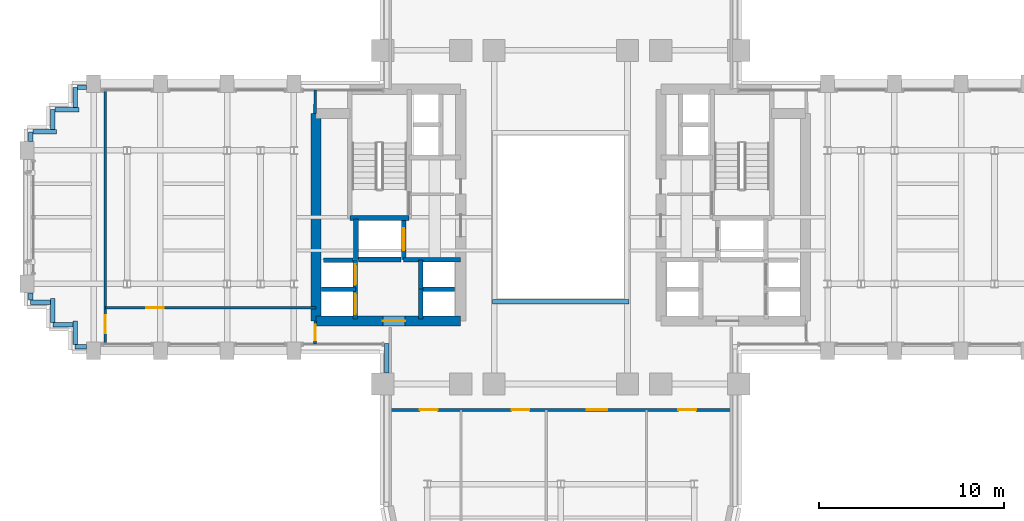
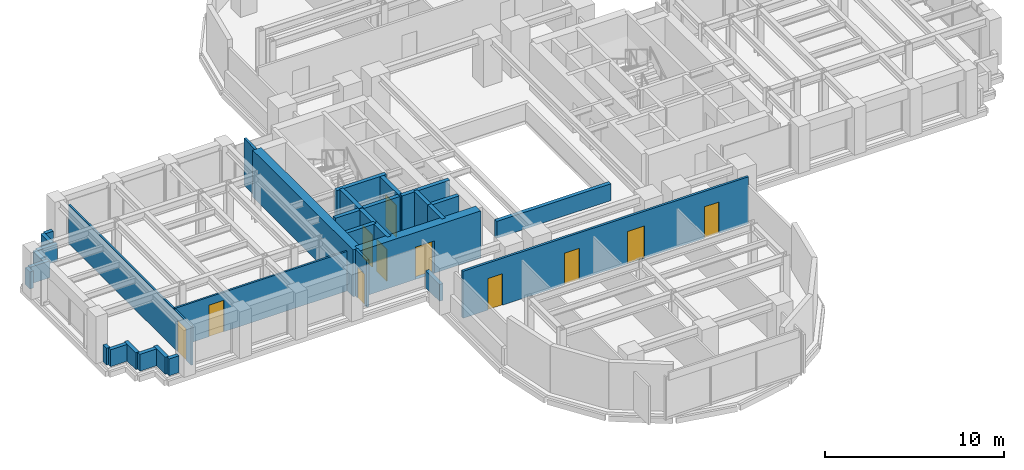
# One storey, part 10 of 16: 33 walls, 11 doors, 11 openings.
"""IFC4 building model written with IfcOpenShell, lengths in metres."""

from ifc_helpers import new_model, si_unit, direction, frame, frame_2d, origin, place, context, subcontext, project, spatial, rectangle, extrude, source, transform, mapped, material, layer, layer_set, type_object, element, fill, save


model = new_model("IFC4")

# Units and contexts
model_context = context("Model", 3, precision=1e-05, world=origin(), true_north=direction((0.0, 1.0)))
body_context = subcontext(model_context, "Body", "Model", "MODEL_VIEW")
ifc_project = project(units=[si_unit("LENGTHUNIT", "METRE"), si_unit("AREAUNIT", "SQUARE_METRE"), si_unit("VOLUMEUNIT", "CUBIC_METRE"), si_unit("PLANEANGLEUNIT", "RADIAN"), si_unit("MASSUNIT", "GRAM", prefix="KILO")], contexts=[model_context])

# Site, building, storey
site_placement = place(None, origin())
site = spatial("IfcSite", under=ifc_project, at=site_placement, CompositionType="ELEMENT")
building_placement = place(site_placement, origin())
building = spatial("IfcBuilding", under=site, at=building_placement, Name="Keilestroom Media Tower", CompositionType="ELEMENT")
storey_placement = place(building_placement, frame((0.0, 0.0, 78.199951171875)))
storey = spatial("IfcBuildingStorey", under=building, at=storey_placement, Name="L20", CompositionType="ELEMENT", Elevation=78.199951171875)

# Wall, opening, door
ifc_material_1 = material(Name="Gypsum Plasterboard & Steel Stud", Category="steel")
ifc_layer_1 = layer(ifc_material_1, 0.1201171875)
ifc_layer_set_1 = layer_set([ifc_layer_1], Name="Gypsum Plasterboard & Steel Stud")
wall_type_1 = type_object("IfcWallType", Name="Interior-Partition-Wall-120", PredefinedType="PARTITIONING", material=ifc_layer_set_1)
wall_1_placement = place(storey_placement, frame((-24.570068359375, -4.8798828125, 0.0), z_axis=(0.0, 0.0, 1.0), x_axis=(1.0, 0.0, 0.0)))
wall_1 = element("IfcWall", 1, at=wall_1_placement, inside=storey, type_object=wall_type_1, Name="L20 Interior Wall WP-L20-WA-CN", PredefinedType="PARTITIONING", context=body_context, shape_type="SweptSolid", body=[
    extrude(rectangle(XDim=11.3701171875, YDim=0.1201171875, at=frame_2d((5.68505859375, 0.0))), origin(), (0.0, 0.0, 1.0), 2.699951171875),
])
opening_1_placement = place(wall_1_placement, frame((2.199951171875, 0.0, 0.0)))
opening_1 = element("IfcOpeningElement", 2, at=opening_1_placement, cuts=wall_1, Name="Opening DI-03", PredefinedType="OPENING", context=body_context, shape_type="SweptSolid", body=[
    extrude(rectangle(XDim=0.949951171875, YDim=2.14990234375, at=frame_2d((0.47509765625, 1.074951171875))), frame((0.0, 0.070068359375, 0.0), z_axis=(0.0, -1.0, 0.0), x_axis=(1.0, 0.0, 0.0)), (0.0, 0.0, 1.0), 0.14013671875),
])
ifc_material_2 = material(Name="Lacquered European Oak Leaf", Category="wood")
door_type_1 = type_object("IfcDoorType", Name="Interior-Room-And-Suite-Door-DI-03", OperationType="NOTDEFINED", PredefinedType="DOOR", material=ifc_material_2)
shared_shape_1 = source(origin(), body_context, "Body", "SweptSolid", [
    extrude(rectangle(XDim=0.949951171875, YDim=2.14990234375, at=frame_2d((0.47509765625, 1.074951171875))), frame((0.0, 0.02490234375, 0.0), z_axis=(0.0, -1.0, 0.0), x_axis=(1.0, 0.0, 0.0)), (0.0, 0.0, 1.0), 0.050048828125),
])
door_1_placement = place(opening_1_placement, origin())
door_1 = element("IfcDoor", 3, at=door_1_placement, inside=storey, type_object=door_type_1, Name="L20 Interior Door DI-L20-DWA-RN", OperationType="SINGLE_SWING_RIGHT", OverallHeight=2.14990234375, OverallWidth=0.949951171875, PredefinedType="DOOR", context=body_context, shape_type="MappedRepresentation", body=[
    mapped(shared_shape_1, transform((0.0, 0.0, 0.0), x_axis=(1.0, 0.0, 0.0), y_axis=(0.0, 1.0, 0.0), z_axis=(0.0, 0.0, 1.0), scale=1.0)),
])
fill(opening_1, door_1)

wall_2_placement = place(storey_placement, frame((-24.570068359375, -6.85009765625, 0.0), z_axis=(0.0, 0.0, 1.0), x_axis=(0.0, 1.0, 0.0)))
wall_2 = element("IfcWall", 4, at=wall_2_placement, inside=storey, type_object=wall_type_1, Name="L20 Interior Wall WP-L20-WA-CE", PredefinedType="PARTITIONING", context=body_context, shape_type="SweptSolid", body=[
    extrude(rectangle(XDim=13.7001953125, YDim=0.1201171875, at=frame_2d((6.85009765625, 0.0))), origin(), (0.0, 0.0, 1.0), 2.650146484375),
])
opening_2_placement = place(wall_2_placement, frame((0.60009765625, 0.0, 0.0)))
opening_2 = element("IfcOpeningElement", 5, at=opening_2_placement, cuts=wall_2, Name="Opening DI-03", PredefinedType="OPENING", context=body_context, shape_type="SweptSolid", body=[
    extrude(rectangle(XDim=0.949951171875, YDim=2.14990234375, at=frame_2d((0.47509765625, 1.074951171875))), frame((0.0, 0.070068359375, 0.0), z_axis=(0.0, -1.0, 0.0), x_axis=(1.0, 0.0, 0.0)), (0.0, 0.0, 1.0), 0.14013671875),
])
door_2_placement = place(opening_2_placement, origin())
door_2 = element("IfcDoor", 6, at=door_2_placement, inside=storey, type_object=door_type_1, Name="L20 Interior Door DI-L20-DWA-END", OperationType="SINGLE_SWING_LEFT", OverallHeight=2.14990234375, OverallWidth=0.949951171875, PredefinedType="DOOR", context=body_context, shape_type="MappedRepresentation", body=[
    mapped(shared_shape_1, transform((0.0, 0.0, 0.0), x_axis=(1.0, 0.0, 0.0), y_axis=(0.0, 1.0, 0.0), z_axis=(0.0, 0.0, 1.0), scale=1.0)),
])
fill(opening_2, door_2)

# Wall, openings, doors
ifc_layer_2 = layer(ifc_material_1, 0.14990234375)
ifc_layer_set_2 = layer_set([ifc_layer_2], Name="Gypsum Plasterboard & Steel Stud")
wall_type_2 = type_object("IfcWallType", Name="Interior-Partition-Wall-150", PredefinedType="PARTITIONING", material=ifc_layer_set_2)
wall_3_placement = place(storey_placement, frame((-9.199951171875, -10.39990234375, 0.0), z_axis=(0.0, 0.0, 1.0), x_axis=(1.0, 0.0, 0.0)))
wall_3 = element("IfcWall", 7, at=wall_3_placement, inside=storey, type_object=wall_type_2, Name="L20 Interior Wall WP-L20-SL-BASE", PredefinedType="PARTITIONING", context=body_context, shape_type="SweptSolid", body=[
    extrude(rectangle(XDim=18.39990234375, YDim=0.14990234375, at=frame_2d((9.199951171875, 0.0))), origin(), (0.0, 0.0, 1.0), 3.199951171875),
])
opening_3_placement = place(wall_3_placement, frame((1.60009765625, 0.0, 0.0)))
opening_3 = element("IfcOpeningElement", 8, at=opening_3_placement, cuts=wall_3, Name="Opening DI-03", PredefinedType="OPENING", context=body_context, shape_type="SweptSolid", body=[
    extrude(rectangle(XDim=0.949951171875, YDim=2.14990234375, at=frame_2d((0.47509765625, 1.074951171875))), frame((0.0, 0.0849609375, 0.0), z_axis=(0.0, -1.0, 0.0), x_axis=(1.0, 0.0, 0.0)), (0.0, 0.0, 1.0), 0.169921875),
])
opening_4_placement = place(wall_3_placement, frame((6.550048828125, 0.0, 0.0)))
opening_4 = element("IfcOpeningElement", 9, at=opening_4_placement, cuts=wall_3, Name="Opening DI-03", PredefinedType="OPENING", context=body_context, shape_type="SweptSolid", body=[
    extrude(rectangle(XDim=0.949951171875, YDim=2.14990234375, at=frame_2d((0.47509765625, 1.074951171875))), frame((0.0, 0.0849609375, 0.0), z_axis=(0.0, -1.0, 0.0), x_axis=(1.0, 0.0, 0.0)), (0.0, 0.0, 1.0), 0.169921875),
])
opening_5_placement = place(wall_3_placement, frame((10.60009765625, 0.0, 0.0)))
opening_5 = element("IfcOpeningElement", 10, at=opening_5_placement, cuts=wall_3, Name="Opening DI-04", PredefinedType="OPENING", context=body_context, shape_type="SweptSolid", body=[
    extrude(rectangle(XDim=1.10009765625, YDim=2.199951171875, at=frame_2d((0.550048828125, 1.10009765625))), frame((0.0, 0.0849609375, 0.0), z_axis=(0.0, -1.0, 0.0), x_axis=(1.0, 0.0, 0.0)), (0.0, 0.0, 1.0), 0.169921875),
])
opening_6_placement = place(wall_3_placement, frame((15.550048828125, 0.0, 0.0)))
opening_6 = element("IfcOpeningElement", 11, at=opening_6_placement, cuts=wall_3, Name="Opening DI-03", PredefinedType="OPENING", context=body_context, shape_type="SweptSolid", body=[
    extrude(rectangle(XDim=0.949951171875, YDim=2.14990234375, at=frame_2d((0.47509765625, 1.074951171875))), frame((0.0, 0.0849609375, 0.0), z_axis=(0.0, -1.0, 0.0), x_axis=(1.0, 0.0, 0.0)), (0.0, 0.0, 1.0), 0.169921875),
])
door_3_placement = place(opening_3_placement, origin())
door_3 = element("IfcDoor", 12, at=door_3_placement, inside=storey, type_object=door_type_1, Name="L20 Interior Door DI-L20-DSL-Q1", OperationType="SINGLE_SWING_RIGHT", OverallHeight=2.14990234375, OverallWidth=0.949951171875, PredefinedType="DOOR", context=body_context, shape_type="MappedRepresentation", body=[
    mapped(shared_shape_1, transform((0.0, 0.0, 0.0), x_axis=(1.0, 0.0, 0.0), y_axis=(0.0, 1.0, 0.0), z_axis=(0.0, 0.0, 1.0), scale=1.0)),
])
fill(opening_3, door_3)
door_4_placement = place(opening_4_placement, origin())
door_4 = element("IfcDoor", 13, at=door_4_placement, inside=storey, type_object=door_type_1, Name="L20 Interior Door DI-L20-DSL-Q2", OperationType="SINGLE_SWING_LEFT", OverallHeight=2.14990234375, OverallWidth=0.949951171875, PredefinedType="DOOR", context=body_context, shape_type="MappedRepresentation", body=[
    mapped(shared_shape_1, transform((0.0, 0.0, 0.0), x_axis=(1.0, 0.0, 0.0), y_axis=(0.0, 1.0, 0.0), z_axis=(0.0, 0.0, 1.0), scale=1.0)),
])
fill(opening_4, door_4)
door_5_placement = place(opening_6_placement, origin())
door_5 = element("IfcDoor", 14, at=door_5_placement, inside=storey, type_object=door_type_1, Name="L20 Interior Door DI-L20-DSL-Q4", OperationType="SINGLE_SWING_LEFT", OverallHeight=2.14990234375, OverallWidth=0.949951171875, PredefinedType="DOOR", context=body_context, shape_type="MappedRepresentation", body=[
    mapped(shared_shape_1, transform((0.0, 0.0, 0.0), x_axis=(1.0, 0.0, 0.0), y_axis=(0.0, 1.0, 0.0), z_axis=(0.0, 0.0, 1.0), scale=1.0)),
])
fill(opening_6, door_5)
ifc_material_3 = material(Name="Acoustic Glazed Aluminium Leaf", Category="aluminium")
door_type_2 = type_object("IfcDoorType", Name="Interior-Room-And-Suite-Door-DI-04", OperationType="NOTDEFINED", PredefinedType="DOOR", material=ifc_material_3)
shared_shape_2 = source(origin(), body_context, "Body", "SweptSolid", [
    extrude(rectangle(XDim=1.10009765625, YDim=2.199951171875, at=frame_2d((0.550048828125, 1.10009765625))), frame((0.0, 0.02490234375, 0.0), z_axis=(0.0, -1.0, 0.0), x_axis=(1.0, 0.0, 0.0)), (0.0, 0.0, 1.0), 0.050048828125),
])
door_6_placement = place(opening_5_placement, origin())
door_6 = element("IfcDoor", 15, at=door_6_placement, inside=storey, type_object=door_type_2, Name="L20 Interior Door DI-L20-DSL-Q3", OperationType="SINGLE_SWING_RIGHT", OverallHeight=2.199951171875, OverallWidth=1.10009765625, PredefinedType="DOOR", context=body_context, shape_type="MappedRepresentation", body=[
    mapped(shared_shape_2, transform((0.0, 0.0, 0.0), x_axis=(1.0, 0.0, 0.0), y_axis=(0.0, 1.0, 0.0), z_axis=(0.0, 0.0, 1.0), scale=1.0)),
])
fill(opening_5, door_6)

# Wall
wall_4_placement = place(storey_placement, frame((-13.260009765625, 5.60009765625, 0.0), z_axis=(0.0, 0.0, 1.0), x_axis=(0.016013571389, 0.999871774545, 0.0)))
element("IfcWall", 16, at=wall_4_placement, inside=storey, type_object=wall_type_2, Name="L20 Interior Wall WP-L20-WA-ENTN", PredefinedType="PARTITIONING", context=body_context, shape_type="SweptSolid", body=[
    extrude(rectangle(XDim=1.250244140625, YDim=0.14990234375, at=frame_2d((0.625, 0.0))), origin(), (0.0, 0.0, 1.0), 3.199951171875),
])

# Wall, opening, door
wall_5_placement = place(storey_placement, frame((-13.260009765625, -6.85009765625, 0.0), z_axis=(0.0, 0.0, 1.0), x_axis=(0.016013571389, 0.999871774545, 0.0)))
wall_5 = element("IfcWall", 17, at=wall_5_placement, inside=storey, type_object=wall_type_2, Name="L20 Interior Wall WP-L20-WA-ENTS", PredefinedType="PARTITIONING", context=body_context, shape_type="SweptSolid", body=[
    extrude(rectangle(XDim=1.250244140625, YDim=0.14990234375, at=frame_2d((0.625, 0.0))), origin(), (0.0, 0.0, 1.0), 3.199951171875),
])
opening_7_placement = place(wall_5_placement, frame((0.199951171875, 0.0, 0.0)))
opening_7 = element("IfcOpeningElement", 18, at=opening_7_placement, cuts=wall_5, Name="Opening DI-05", PredefinedType="OPENING", context=body_context, shape_type="SweptSolid", body=[
    extrude(rectangle(XDim=0.85009765625, YDim=2.10009765625, at=frame_2d((0.425048828125, 1.050048828125))), frame((0.0, 0.0849609375, 0.0), z_axis=(0.0, -1.0, 0.0), x_axis=(1.0, 0.0, 0.0)), (0.0, 0.0, 1.0), 0.169921875),
])
ifc_material_4 = material(Name="Moisture-Resistant Oak Leaf", Category="wood")
door_type_3 = type_object("IfcDoorType", Name="Interior-En-Suite-And-Cupboard-Door-DI-05", OperationType="NOTDEFINED", PredefinedType="DOOR", material=ifc_material_4)
shared_shape_3 = source(origin(), body_context, "Body", "SweptSolid", [
    extrude(rectangle(XDim=0.85009765625, YDim=2.10009765625, at=frame_2d((0.425048828125, 1.050048828125))), frame((0.0, 0.02490234375, 0.0), z_axis=(0.0, -1.0, 0.0), x_axis=(1.0, 0.0, 0.0)), (0.0, 0.0, 1.0), 0.050048828125),
])
door_7_placement = place(opening_7_placement, origin())
door_7 = element("IfcDoor", 19, at=door_7_placement, inside=storey, type_object=door_type_3, Name="L20 Interior Door DI-L20-DWA-ENTS", OperationType="SINGLE_SWING_RIGHT", OverallHeight=2.10009765625, OverallWidth=0.85009765625, PredefinedType="DOOR", context=body_context, shape_type="MappedRepresentation", body=[
    mapped(shared_shape_3, transform((0.0, 0.0, 0.0), x_axis=(1.0, 0.0, 0.0), y_axis=(0.0, 1.0, 0.0), z_axis=(0.0, 0.0, 1.0), scale=1.0)),
])
fill(opening_7, door_7)

# Wall
ifc_material_5 = material(Name="Concrete C70/85", Category="concrete")
ifc_layer_3 = layer(ifc_material_5, 0.550048828125)
ifc_layer_set_3 = layer_set([ifc_layer_3], Name="Concrete C70/85")
wall_type_3 = type_object("IfcWallType", Name="Reinforced-Concrete-Core-Shear-Wall-550", PredefinedType="SHEAR", material=ifc_layer_set_3)
wall_6_placement = place(storey_placement, frame((-13.199951171875, -5.60009765625, 0.0), z_axis=(0.0, 0.0, 1.0), x_axis=(0.0, 1.0, 0.0)))
element("IfcWall", 20, at=wall_6_placement, inside=storey, type_object=wall_type_3, Name="L20 Core Shear Wall WL-L20-CORE-W-OUT", PredefinedType="SHEAR", context=body_context, shape_type="SweptSolid", body=[
    extrude(rectangle(XDim=11.2001953125, YDim=0.550048828125, at=frame_2d((5.60009765625, 0.0))), origin(), (0.0, 0.0, 1.0), 3.199951171875),
])

# Wall, opening, door
wall_7_placement = place(storey_placement, frame((-13.199951171875, -5.60009765625, 0.0), z_axis=(0.0, 0.0, 1.0), x_axis=(1.0, 0.0, 0.0)))
wall_7 = element("IfcWall", 21, at=wall_7_placement, inside=storey, type_object=wall_type_3, Name="L20 Core Shear Wall WL-L20-CORE-W-S", PredefinedType="SHEAR", context=body_context, shape_type="SweptSolid", body=[
    extrude(rectangle(XDim=7.800048828125, YDim=0.550048828125, at=frame_2d((3.89990234375, 0.0))), origin(), (0.0, 0.0, 1.0), 3.199951171875),
])
opening_8_placement = place(wall_7_placement, frame((3.60009765625, 0.0, 0.0)))
opening_8 = element("IfcOpeningElement", 22, at=opening_8_placement, cuts=wall_7, Name="Opening DI-02", PredefinedType="OPENING", context=body_context, shape_type="SweptSolid", body=[
    extrude(rectangle(XDim=1.199951171875, YDim=2.199951171875, at=frame_2d((0.60009765625, 1.10009765625))), frame((0.0, 0.28515625, 0.0), z_axis=(0.0, -1.0, 0.0), x_axis=(1.0, 0.0, 0.0)), (0.0, 0.0, 1.0), 0.570068359375),
])
ifc_material_6 = material(Name="Powder-Coated Steel Fire Leaf", Category="steel")
door_type_4 = type_object("IfcDoorType", Name="Interior-Compartment-Fire-Door-DI-02", OperationType="NOTDEFINED", PredefinedType="DOOR", material=ifc_material_6)
shared_shape_4 = source(origin(), body_context, "Body", "SweptSolid", [
    extrude(rectangle(XDim=1.199951171875, YDim=2.199951171875, at=frame_2d((0.60009765625, 1.10009765625))), frame((0.0, 0.02490234375, 0.0), z_axis=(0.0, -1.0, 0.0), x_axis=(1.0, 0.0, 0.0)), (0.0, 0.0, 1.0), 0.050048828125),
])
door_8_placement = place(opening_8_placement, origin())
door_8 = element("IfcDoor", 23, at=door_8_placement, inside=storey, type_object=door_type_4, Name="L20 W Passenger Lift Lobby Door", OperationType="SINGLE_SWING_LEFT", OverallHeight=2.199951171875, OverallWidth=1.199951171875, PredefinedType="DOOR", context=body_context, shape_type="MappedRepresentation", body=[
    mapped(shared_shape_4, transform((0.0, 0.0, 0.0), x_axis=(1.0, 0.0, 0.0), y_axis=(0.0, 1.0, 0.0), z_axis=(0.0, 0.0, 1.0), scale=1.0)),
])
fill(opening_8, door_8)

# Walls
ifc_material_7 = material(Name="Concrete C50/60", Category="concrete")
ifc_layer_4 = layer(ifc_material_7, 0.25)
ifc_layer_set_4 = layer_set([ifc_layer_4], Name="Concrete C50/60")
wall_type_4 = type_object("IfcWallType", Name="Reinforced-Concrete-Shaft-Wall-250", PredefinedType="SOLIDWALL", material=ifc_layer_set_4)
wall_8_placement = place(storey_placement, frame((-8.47998046875, -2.300048828125, 0.0), z_axis=(0.0, 0.0, 1.0), x_axis=(1.0, 0.0, 0.0)))
element("IfcWall", 24, at=wall_8_placement, inside=storey, type_object=wall_type_4, Name="L20 Core Shear Wall WL-L20-CORE-W-FFS", PredefinedType="SOLIDWALL", context=body_context, shape_type="SweptSolid", body=[
    extrude(rectangle(XDim=3.080078125, YDim=0.25, at=frame_2d((1.5400390625, 0.0))), origin(), (0.0, 0.0, 1.0), 3.199951171875),
])
wall_9_placement = place(storey_placement, frame((-11.381103515625, -0.041015625, 0.0), z_axis=(0.0, 0.0, 1.0), x_axis=(1.0, 0.0, 0.0)))
element("IfcWall", 25, at=wall_9_placement, inside=storey, type_object=wall_type_4, Name="L20 Core Shear Wall WL-L20-STW-W-S", PredefinedType="SOLIDWALL", context=body_context, shape_type="SweptSolid", body=[
    extrude(rectangle(XDim=3.2021484375, YDim=0.25, at=frame_2d((1.60107421875, 0.0))), origin(), (0.0, 0.0, 1.0), 3.199951171875),
])
wall_10_placement = place(storey_placement, frame((-11.050048828125, -2.280029296875, 0.0), z_axis=(0.0, 0.0, 1.0), x_axis=(0.0, 1.0, 0.0)))
element("IfcWall", 26, at=wall_10_placement, inside=storey, type_object=wall_type_4, Name="L20 Core Shear Wall WL-L20-LSH-FFL-1-W", PredefinedType="SOLIDWALL", context=body_context, shape_type="SweptSolid", body=[
    extrude(rectangle(XDim=2.179931640625, YDim=0.25, at=frame_2d((1.08984375, 0.0))), origin(), (0.0, 0.0, 1.0), 3.199951171875),
])

# Wall, opening, door
wall_11_placement = place(storey_placement, frame((-8.47998046875, -2.280029296875, 0.0), z_axis=(0.0, 0.0, 1.0), x_axis=(0.0, 1.0, 0.0)))
wall_11 = element("IfcWall", 27, at=wall_11_placement, inside=storey, type_object=wall_type_4, Name="L20 Core Shear Wall WL-L20-LSH-FFL-1-E", PredefinedType="SOLIDWALL", context=body_context, shape_type="SweptSolid", body=[
    extrude(rectangle(XDim=2.179931640625, YDim=0.25, at=frame_2d((1.08984375, 0.0))), origin(), (0.0, 0.0, 1.0), 3.199951171875),
])
opening_9_placement = place(wall_11_placement, frame((0.489990234375, 0.0, 0.0)))
opening_9 = element("IfcOpeningElement", 28, at=opening_9_placement, cuts=wall_11, Name="Opening LD-02", PredefinedType="OPENING", context=body_context, shape_type="SweptSolid", body=[
    extrude(rectangle(XDim=1.199951171875, YDim=2.199951171875, at=frame_2d((0.60009765625, 1.10009765625))), frame((0.0, 0.135009765625, 0.0), z_axis=(0.0, -1.0, 0.0), x_axis=(1.0, 0.0, 0.0)), (0.0, 0.0, 1.0), 0.27001953125),
])
ifc_material_8 = material(Name="Brushed Stainless Steel Sliding Leaf", Category="steel")
door_type_5 = type_object("IfcDoorType", Name="Lift-Landing-Sliding-Door-LD-02", OperationType="SLIDING_TO_RIGHT", PredefinedType="DOOR", material=ifc_material_8)
door_9_placement = place(opening_9_placement, origin())
door_9 = element("IfcDoor", 29, at=door_9_placement, inside=storey, type_object=door_type_5, Name="L20 Lift FFL-1 Landing Sliding Door", OperationType="SLIDING_TO_RIGHT", OverallHeight=2.199951171875, OverallWidth=1.199951171875, PredefinedType="DOOR", context=body_context, shape_type="MappedRepresentation", body=[
    mapped(shared_shape_4, transform((0.0, 0.0, 0.0), x_axis=(1.0, 0.0, 0.0), y_axis=(0.0, 1.0, 0.0), z_axis=(0.0, 0.0, 1.0), scale=1.0)),
])
fill(opening_9, door_9)

# Wall
wall_12_placement = place(storey_placement, frame((-10.9208984375, -2.280029296875, 0.0), z_axis=(0.0, 0.0, 1.0), x_axis=(1.0, 0.0, 0.0)))
element("IfcWall", 30, at=wall_12_placement, inside=storey, type_object=wall_type_4, Name="L20 Core Shear Wall WL-L20-LSH-FFL-1-S", PredefinedType="SOLIDWALL", context=body_context, shape_type="SweptSolid", body=[
    extrude(rectangle(XDim=2.31201171875, YDim=0.25, at=frame_2d((1.156005859375, 0.0))), origin(), (0.0, 0.0, 1.0), 3.199951171875),
])

# Wall, opening, door
wall_13_placement = place(storey_placement, frame((-11.080078125, -5.47998046875, 0.0), z_axis=(0.0, 0.0, 1.0), x_axis=(0.0, 1.0, 0.0)))
wall_13 = element("IfcWall", 31, at=wall_13_placement, inside=storey, type_object=wall_type_4, Name="L20 Core Shear Wall WL-L20-LSH-PL-L1-E", PredefinedType="SOLIDWALL", context=body_context, shape_type="SweptSolid", body=[
    extrude(rectangle(XDim=1.60009765625, YDim=0.25, at=frame_2d((0.800048828125, 0.0))), origin(), (0.0, 0.0, 1.0), 3.199951171875),
])
opening_10_placement = place(wall_13_placement, frame((0.25, 0.0, 0.0)))
opening_10 = element("IfcOpeningElement", 32, at=opening_10_placement, cuts=wall_13, Name="Opening LD-01", PredefinedType="OPENING", context=body_context, shape_type="SweptSolid", body=[
    extrude(rectangle(XDim=1.10009765625, YDim=2.199951171875, at=frame_2d((0.550048828125, 1.10009765625))), frame((0.0, 0.135009765625, 0.0), z_axis=(0.0, -1.0, 0.0), x_axis=(1.0, 0.0, 0.0)), (0.0, 0.0, 1.0), 0.27001953125),
])
door_type_6 = type_object("IfcDoorType", Name="Lift-Landing-Sliding-Door-LD-01", OperationType="SLIDING_TO_LEFT", PredefinedType="DOOR", material=ifc_material_8)
door_10_placement = place(opening_10_placement, origin())
door_10 = element("IfcDoor", 33, at=door_10_placement, inside=storey, type_object=door_type_6, Name="L20 Lift PL-L1 Landing Sliding Door", OperationType="SLIDING_TO_LEFT", OverallHeight=2.199951171875, OverallWidth=1.10009765625, PredefinedType="DOOR", context=body_context, shape_type="MappedRepresentation", body=[
    mapped(shared_shape_2, transform((0.0, 0.0, 0.0), x_axis=(1.0, 0.0, 0.0), y_axis=(0.0, 1.0, 0.0), z_axis=(0.0, 0.0, 1.0), scale=1.0)),
])
fill(opening_10, door_10)

# Wall
wall_14_placement = place(storey_placement, frame((-12.919921875, -3.8798828125, 0.0), z_axis=(0.0, 0.0, 1.0), x_axis=(1.0, 0.0, 0.0)))
element("IfcWall", 34, at=wall_14_placement, inside=storey, type_object=wall_type_4, Name="L20 Core Shear Wall WL-L20-LSH-PL-L1-N", PredefinedType="SOLIDWALL", context=body_context, shape_type="SweptSolid", body=[
    extrude(rectangle(XDim=1.83984375, YDim=0.25, at=frame_2d((0.919921875, 0.0))), origin(), (0.0, 0.0, 1.0), 3.199951171875),
])

# Wall, opening, door
wall_15_placement = place(storey_placement, frame((-11.080078125, -3.8798828125, 0.0), z_axis=(0.0, 0.0, 1.0), x_axis=(0.0, 1.0, 0.0)))
wall_15 = element("IfcWall", 35, at=wall_15_placement, inside=storey, type_object=wall_type_4, Name="L20 Core Shear Wall WL-L20-LSH-PL-L2-E", PredefinedType="SOLIDWALL", context=body_context, shape_type="SweptSolid", body=[
    extrude(rectangle(XDim=1.559814453125, YDim=0.25, at=frame_2d((0.77978515625, 0.0))), origin(), (0.0, 0.0, 1.0), 3.199951171875),
])
opening_11_placement = place(wall_15_placement, frame((0.22998046875, 0.0, 0.0)))
opening_11 = element("IfcOpeningElement", 36, at=opening_11_placement, cuts=wall_15, Name="Opening LD-01", PredefinedType="OPENING", context=body_context, shape_type="SweptSolid", body=[
    extrude(rectangle(XDim=1.10009765625, YDim=2.199951171875, at=frame_2d((0.550048828125, 1.10009765625))), frame((0.0, 0.135009765625, 0.0), z_axis=(0.0, -1.0, 0.0), x_axis=(1.0, 0.0, 0.0)), (0.0, 0.0, 1.0), 0.27001953125),
])
door_11_placement = place(opening_11_placement, origin())
door_11 = element("IfcDoor", 37, at=door_11_placement, inside=storey, type_object=door_type_6, Name="L20 Lift PL-L2 Landing Sliding Door", OperationType="SLIDING_TO_LEFT", OverallHeight=2.199951171875, OverallWidth=1.10009765625, PredefinedType="DOOR", context=body_context, shape_type="MappedRepresentation", body=[
    mapped(shared_shape_2, transform((0.0, 0.0, 0.0), x_axis=(1.0, 0.0, 0.0), y_axis=(0.0, 1.0, 0.0), z_axis=(0.0, 0.0, 1.0), scale=1.0)),
])
fill(opening_11, door_11)

# Walls
wall_16_placement = place(storey_placement, frame((-12.791015625, -2.320068359375, 0.0), z_axis=(0.0, 0.0, 1.0), x_axis=(1.0, 0.0, 0.0)))
element("IfcWall", 38, at=wall_16_placement, inside=storey, type_object=wall_type_4, Name="L20 Core Shear Wall WL-L20-LSH-PL-L2-N", PredefinedType="SOLIDWALL", context=body_context, shape_type="SweptSolid", body=[
    extrude(rectangle(XDim=1.58203125, YDim=0.25, at=frame_2d((0.791015625, 0.0))), origin(), (0.0, 0.0, 1.0), 3.199951171875),
])
wall_17_placement = place(storey_placement, frame((-7.56005859375, -5.47998046875, 0.0), z_axis=(0.0, 0.0, 1.0), x_axis=(0.0, 1.0, 0.0)))
element("IfcWall", 39, at=wall_17_placement, inside=storey, type_object=wall_type_4, Name="L20 Core Shear Wall WL-L20-LSH-PL-M1-W", PredefinedType="SOLIDWALL", context=body_context, shape_type="SweptSolid", body=[
    extrude(rectangle(XDim=1.60009765625, YDim=0.25, at=frame_2d((0.800048828125, 0.0))), origin(), (0.0, 0.0, 1.0), 3.199951171875),
])
wall_18_placement = place(storey_placement, frame((-7.56005859375, -3.8798828125, 0.0), z_axis=(0.0, 0.0, 1.0), x_axis=(1.0, 0.0, 0.0)))
element("IfcWall", 40, at=wall_18_placement, inside=storey, type_object=wall_type_4, Name="L20 Core Shear Wall WL-L20-LSH-PL-M1-N", PredefinedType="SOLIDWALL", context=body_context, shape_type="SweptSolid", body=[
    extrude(rectangle(XDim=1.840087890625, YDim=0.25, at=frame_2d((0.919921875, 0.0))), origin(), (0.0, 0.0, 1.0), 3.199951171875),
])
wall_19_placement = place(storey_placement, frame((-7.56005859375, -3.8798828125, 0.0), z_axis=(0.0, 0.0, 1.0), x_axis=(0.0, 1.0, 0.0)))
element("IfcWall", 41, at=wall_19_placement, inside=storey, type_object=wall_type_4, Name="L20 Core Shear Wall WL-L20-LSH-PL-M2-W", PredefinedType="SOLIDWALL", context=body_context, shape_type="SweptSolid", body=[
    extrude(rectangle(XDim=1.559814453125, YDim=0.25, at=frame_2d((0.77978515625, 0.0))), origin(), (0.0, 0.0, 1.0), 3.199951171875),
])
ifc_material_9 = material(Name="Precast concrete C40/50", Category="concrete")
ifc_layer_5 = layer(ifc_material_9, 0.239990234375)
ifc_layer_set_5 = layer_set([ifc_layer_5], Name="Precast concrete C40/50")
wall_type_5 = type_object("IfcWallType", Name="Roof-And-Terrace-Parapet-Wall-240", PredefinedType="PARAPET", material=ifc_layer_set_5)
wall_20_placement = place(storey_placement, frame((-9.39990234375, -8.39697265625, 0.0), z_axis=(0.0, 0.0, 1.0), x_axis=(0.0, 1.0, 0.0)))
element("IfcWall", 42, at=wall_20_placement, inside=storey, type_object=wall_type_5, Name="L20 Perimeter Edge Parapet Wall 11", PredefinedType="PARAPET", context=body_context, shape_type="SweptSolid", body=[
    extrude(rectangle(XDim=1.578125, YDim=0.239990234375, at=frame_2d((0.7890625, 0.0))), origin(), (0.0, 0.0, 1.0), 1.150146484375),
])
wall_21_placement = place(storey_placement, frame((-25.577880859375, -7.0, 0.0), z_axis=(0.0, 0.0, 1.0), x_axis=(-1.0, 0.0, 0.0)))
element("IfcWall", 43, at=wall_21_placement, inside=storey, type_object=wall_type_5, Name="L20 Perimeter Edge Parapet Wall 12", PredefinedType="PARAPET", context=body_context, shape_type="SweptSolid", body=[
    extrude(rectangle(XDim=0.6220703125, YDim=0.239990234375, at=frame_2d((0.31103515625, 0.0))), origin(), (0.0, 0.0, 1.0), 1.150146484375),
])
wall_22_placement = place(storey_placement, frame((-26.199951171875, -6.876953125, 0.0), z_axis=(0.0, 0.0, 1.0), x_axis=(0.0, 1.0, 0.0)))
element("IfcWall", 44, at=wall_22_placement, inside=storey, type_object=wall_type_5, Name="L20 Perimeter Edge Parapet Wall 13", PredefinedType="PARAPET", context=body_context, shape_type="SweptSolid", body=[
    extrude(rectangle(XDim=1.27685546875, YDim=0.239990234375, at=frame_2d((0.638427734375, 0.0))), origin(), (0.0, 0.0, 1.0), 1.150146484375),
])
wall_23_placement = place(storey_placement, frame((-26.322998046875, -5.800048828125, 0.0), z_axis=(0.0, 0.0, 1.0), x_axis=(-1.0, 0.0, 0.0)))
element("IfcWall", 45, at=wall_23_placement, inside=storey, type_object=wall_type_5, Name="L20 Perimeter Edge Parapet Wall 14", PredefinedType="PARAPET", context=body_context, shape_type="SweptSolid", body=[
    extrude(rectangle(XDim=1.076904296875, YDim=0.239990234375, at=frame_2d((0.53857421875, 0.0))), origin(), (0.0, 0.0, 1.0), 1.150146484375),
])
wall_24_placement = place(storey_placement, frame((-27.39990234375, -5.677001953125, 0.0), z_axis=(0.0, 0.0, 1.0), x_axis=(0.0, 1.0, 0.0)))
element("IfcWall", 46, at=wall_24_placement, inside=storey, type_object=wall_type_5, Name="L20 Perimeter Edge Parapet Wall 15", PredefinedType="PARAPET", context=body_context, shape_type="SweptSolid", body=[
    extrude(rectangle(XDim=1.277099609375, YDim=0.239990234375, at=frame_2d((0.638671875, 0.0))), origin(), (0.0, 0.0, 1.0), 1.150146484375),
])
wall_25_placement = place(storey_placement, frame((-27.52294921875, -4.60009765625, 0.0), z_axis=(0.0, 0.0, 1.0), x_axis=(-1.0, 0.0, 0.0)))
element("IfcWall", 47, at=wall_25_placement, inside=storey, type_object=wall_type_5, Name="L20 Perimeter Edge Parapet Wall 16", PredefinedType="PARAPET", context=body_context, shape_type="SweptSolid", body=[
    extrude(rectangle(XDim=1.0771484375, YDim=0.239990234375, at=frame_2d((0.53857421875, 0.0))), origin(), (0.0, 0.0, 1.0), 1.150146484375),
])
wall_26_placement = place(storey_placement, frame((-28.60009765625, -4.47705078125, 0.0), z_axis=(0.0, 0.0, 1.0), x_axis=(0.0, 1.0, 0.0)))
element("IfcWall", 48, at=wall_26_placement, inside=storey, type_object=wall_type_5, Name="L20 Perimeter Edge Parapet Wall 17", PredefinedType="PARAPET", context=body_context, shape_type="SweptSolid", body=[
    extrude(rectangle(XDim=0.399169921875, YDim=0.239990234375, at=frame_2d((0.19970703125, 0.0))), origin(), (0.0, 0.0, 1.0), 1.150146484375),
])
wall_27_placement = place(storey_placement, frame((-28.60009765625, 4.077880859375, 0.0), z_axis=(0.0, 0.0, 1.0), x_axis=(0.0, 1.0, 0.0)))
element("IfcWall", 49, at=wall_27_placement, inside=storey, type_object=wall_type_5, Name="L20 Perimeter Edge Parapet Wall 18", PredefinedType="PARAPET", context=body_context, shape_type="SweptSolid", body=[
    extrude(rectangle(XDim=0.522216796875, YDim=0.239990234375, at=frame_2d((0.26123046875, 0.0))), origin(), (0.0, 0.0, 1.0), 1.150146484375),
])
wall_28_placement = place(storey_placement, frame((-28.47705078125, 4.60009765625, 0.0), z_axis=(0.0, 0.0, 1.0), x_axis=(1.0, 0.0, 0.0)))
element("IfcWall", 50, at=wall_28_placement, inside=storey, type_object=wall_type_5, Name="L20 Perimeter Edge Parapet Wall 19", PredefinedType="PARAPET", context=body_context, shape_type="SweptSolid", body=[
    extrude(rectangle(XDim=1.277099609375, YDim=0.239990234375, at=frame_2d((0.638671875, 0.0))), origin(), (0.0, 0.0, 1.0), 1.150146484375),
])
wall_29_placement = place(storey_placement, frame((-27.39990234375, 4.722900390625, 0.0), z_axis=(0.0, 0.0, 1.0), x_axis=(0.0, 1.0, 0.0)))
element("IfcWall", 51, at=wall_29_placement, inside=storey, type_object=wall_type_5, Name="L20 Perimeter Edge Parapet Wall 20", PredefinedType="PARAPET", context=body_context, shape_type="SweptSolid", body=[
    extrude(rectangle(XDim=1.0771484375, YDim=0.239990234375, at=frame_2d((0.53857421875, 0.0))), origin(), (0.0, 0.0, 1.0), 1.150146484375),
])
wall_30_placement = place(storey_placement, frame((-27.277099609375, 5.800048828125, 0.0), z_axis=(0.0, 0.0, 1.0), x_axis=(1.0, 0.0, 0.0)))
element("IfcWall", 52, at=wall_30_placement, inside=storey, type_object=wall_type_5, Name="L20 Perimeter Edge Parapet Wall 21", PredefinedType="PARAPET", context=body_context, shape_type="SweptSolid", body=[
    extrude(rectangle(XDim=1.277099609375, YDim=0.239990234375, at=frame_2d((0.638671875, 0.0))), origin(), (0.0, 0.0, 1.0), 1.150146484375),
])
wall_31_placement = place(storey_placement, frame((-26.199951171875, 5.923095703125, 0.0), z_axis=(0.0, 0.0, 1.0), x_axis=(0.0, 1.0, 0.0)))
element("IfcWall", 53, at=wall_31_placement, inside=storey, type_object=wall_type_5, Name="L20 Perimeter Edge Parapet Wall 22", PredefinedType="PARAPET", context=body_context, shape_type="SweptSolid", body=[
    extrude(rectangle(XDim=1.076904296875, YDim=0.239990234375, at=frame_2d((0.53857421875, 0.0))), origin(), (0.0, 0.0, 1.0), 1.150146484375),
])
wall_32_placement = place(storey_placement, frame((-26.076904296875, 7.0, 0.0), z_axis=(0.0, 0.0, 1.0), x_axis=(1.0, 0.0, 0.0)))
element("IfcWall", 54, at=wall_32_placement, inside=storey, type_object=wall_type_5, Name="L20 Perimeter Edge Parapet Wall 23", PredefinedType="PARAPET", context=body_context, shape_type="SweptSolid", body=[
    extrude(rectangle(XDim=0.4990234375, YDim=0.239990234375, at=frame_2d((0.24951171875, 0.0))), origin(), (0.0, 0.0, 1.0), 1.150146484375),
])
wall_33_placement = place(storey_placement, frame((-3.679931640625, -4.56005859375, 0.0), z_axis=(0.0, 0.0, 1.0), x_axis=(1.0, 0.0, 0.0)))
element("IfcWall", 55, at=wall_33_placement, inside=storey, type_object=wall_type_5, Name="L20 Central Atrium Guard Parapet S", PredefinedType="PARAPET", context=body_context, shape_type="SweptSolid", body=[
    extrude(rectangle(XDim=7.35986328125, YDim=0.239990234375, at=frame_2d((3.679931640625, 0.0))), origin(), (0.0, 0.0, 1.0), 1.150146484375),
])

save(model, "model.ifc")
